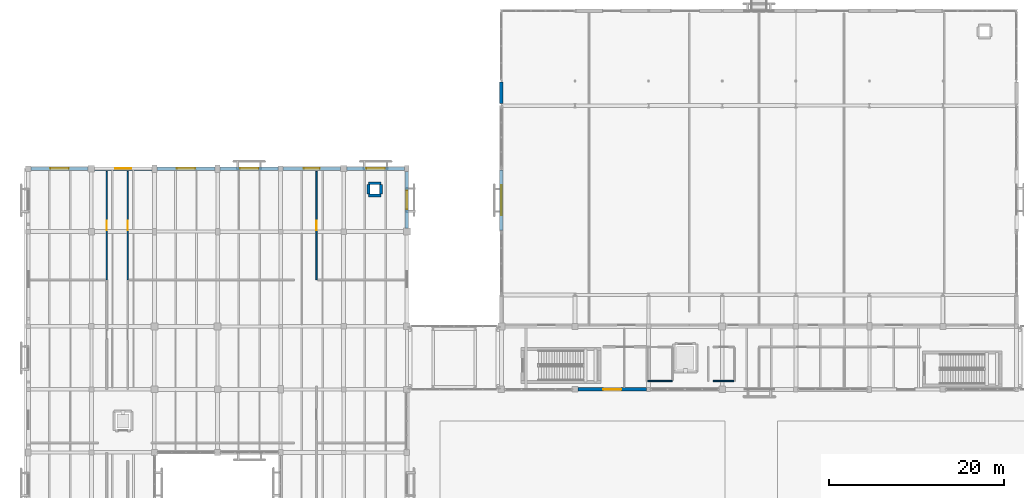
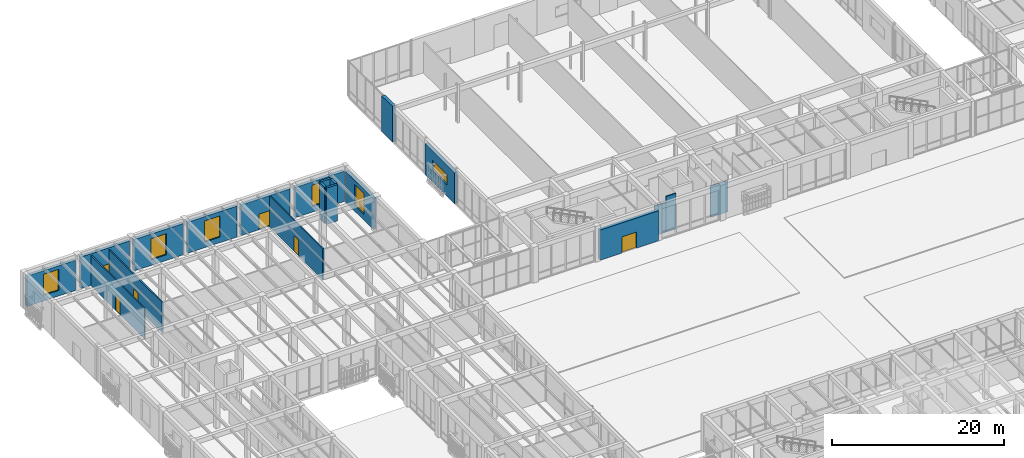
# One storey, part 126 of 169: 20 walls, 6 doors, 6 windows, 12 openings.
"""IFC4 building model written with IfcOpenShell, lengths in metres."""

import ifcopenshell
import ifcopenshell.guid

model = None  # the IFC model being written
_history = None  # IfcOwnerHistory: only IFC2X3 demands one
_inside = {}  # id of a spatial element -> (the spatial element, [elements in it])
_under = {}  # id of a project, library or spatial element -> (it, [spatial elements below it])
_declared = {}  # id of a project -> (the project, [libraries it declares])
_typed = {}  # id of a type object -> (the type object, [elements of that type])
_made_of = {}  # id of a material, layer set ... -> (it, [elements and type objects made of it])


def new_model(schema):
    """Start an empty IFC model of exactly this schema.

    Asked for "IFC4X3", IfcOpenShell would pick the latest addendum, in which some entities
    have other attributes; the version numbers below select the first issue.
    IFC2X3 requires an IfcOwnerHistory on every rooted entity: one is made here for all.
    """
    global model, _history
    if schema == "IFC4X3":
        model = ifcopenshell.file(schema_version=(4, 3, 0, 0))
    else:
        model = ifcopenshell.file(schema=schema)
    _inside.clear()
    _under.clear()
    _declared.clear()
    _typed.clear()
    _made_of.clear()
    _history = None
    if model.schema == "IFC2X3":
        org = make("IfcOrganization", Name="unknown")
        user = make(
            "IfcPersonAndOrganization",
            ThePerson=make("IfcPerson", FamilyName="unknown"),
            TheOrganization=org,
        )
        app = make(
            "IfcApplication",
            ApplicationDeveloper=org,
            Version="unknown",
            ApplicationFullName="unknown",
            ApplicationIdentifier="unknown",
        )
        _history = make(
            "IfcOwnerHistory",
            OwningUser=user,
            OwningApplication=app,
            ChangeAction="ADDED",
            CreationDate=0,
        )
    return model


def make(cls, **values):
    """One entity of the class cls with the attributes given. An attribute that is None is left unset."""
    return model.create_entity(
        cls, **{name: value for name, value in values.items() if value is not None}
    )


def rooted(cls, **values):
    """An entity with a GlobalId (a new one), such as an element, a storey or a relation."""
    return make(cls, GlobalId=ifcopenshell.guid.new(), OwnerHistory=_history, **values)


def si_unit(unit_type, name, prefix=None):
    """IfcSIUnit, for example si_unit("LENGTHUNIT", "METRE", prefix="MILLI")."""
    return make("IfcSIUnit", UnitType=unit_type, Prefix=prefix, Name=name)


def assignment(units):
    """IfcUnitAssignment: the units of a project."""
    return None if units is None else make("IfcUnitAssignment", Units=units)


def point(xyz):
    """IfcCartesianPoint."""
    return None if xyz is None else make("IfcCartesianPoint", Coordinates=xyz)


def direction(xyz):
    """IfcDirection."""
    return None if xyz is None else make("IfcDirection", DirectionRatios=xyz)


def frame(location, z_axis=None, x_axis=None):
    """IfcAxis2Placement3D, a coordinate frame: its origin and axes. An axis left out is left unset."""
    return make(
        "IfcAxis2Placement3D",
        Location=point(location),
        Axis=direction(z_axis),
        RefDirection=direction(x_axis),
    )


def frame_2d(location, x_axis=None):
    """IfcAxis2Placement2D, a coordinate frame in the plane: its origin and x axis."""
    return make(
        "IfcAxis2Placement2D", Location=point(location), RefDirection=direction(x_axis)
    )


def origin():
    """The frame at (0, 0, 0) with its axes left unset."""
    return frame((0.0, 0.0, 0.0))


def place(relative_to, where):
    """IfcLocalPlacement: puts the frame where relative to a parent placement (None: the world)."""
    return make(
        "IfcLocalPlacement", PlacementRelTo=relative_to, RelativePlacement=where
    )


def context(
    kind, dimensions, precision=None, world=None, true_north=None, identifier=None
):
    """IfcGeometricRepresentationContext, for example the 3D "Model" context."""
    return make(
        "IfcGeometricRepresentationContext",
        ContextIdentifier=identifier,
        ContextType=kind,
        CoordinateSpaceDimension=dimensions,
        Precision=precision,
        WorldCoordinateSystem=world,
        TrueNorth=true_north,
    )


def subcontext(parent, identifier, kind, view, scale=None):
    """IfcGeometricRepresentationSubContext, for example "Body" below "Model"."""
    return make(
        "IfcGeometricRepresentationSubContext",
        ContextIdentifier=identifier,
        ContextType=kind,
        ParentContext=parent,
        TargetScale=scale,
        TargetView=view,
    )


def project(units=None, contexts=None):
    """IfcProject with its units and contexts."""
    return rooted(
        "IfcProject",
        Name="project",
        RepresentationContexts=contexts,
        UnitsInContext=assignment(units),
    )


def spatial(cls, under=None, at=None, **own):
    """A site, building, storey or space (cls), placed at a placement, below another one or the project."""
    s = rooted(cls, ObjectPlacement=at, **own)
    if under is not None:
        _under.setdefault(under.id(), (under, []))[1].append(s)
    return s


def profile(cls, at=None, kind="AREA", **sizes):
    """A parametric profile (cls). Its sizes go by their IFC names, for example OverallWidth=200.0."""
    return make(cls, ProfileType=kind, Position=at, **sizes)


def rectangle(**sizes):
    """IfcRectangleProfileDef."""
    return profile("IfcRectangleProfileDef", **sizes)


def extrude(swept, where, along, depth):
    """IfcExtrudedAreaSolid: the profile swept, set in the frame where, extruded along a direction by depth."""
    return make(
        "IfcExtrudedAreaSolid",
        SweptArea=swept,
        Position=where,
        ExtrudedDirection=direction(along),
        Depth=depth,
    )


def shape(context_of_items, identifier, shape_type, items):
    """IfcShapeRepresentation: the items that make up one representation, for example the "Body"."""
    return make(
        "IfcShapeRepresentation",
        ContextOfItems=context_of_items,
        RepresentationIdentifier=identifier,
        RepresentationType=shape_type,
        Items=items,
    )


def material(Name=None, Category=None):
    """IfcMaterial."""
    return make("IfcMaterial", Name=Name, Category=Category)


def layer(
    of_material, thickness, ventilated=None, Name=None, Category=None, Priority=None
):
    """IfcMaterialLayer: one layer of a wall or slab, of a material (None: an air gap)."""
    return make(
        "IfcMaterialLayer",
        Material=of_material,
        LayerThickness=thickness,
        IsVentilated=ventilated,
        Name=Name,
        Category=Category,
        Priority=Priority,
    )


def layer_set(layers, Name=None):
    """IfcMaterialLayerSet."""
    return make("IfcMaterialLayerSet", MaterialLayers=layers, LayerSetName=Name)


def made_of(thing, what):
    """Note that an element or type object is made of a material, layer set ...; save() writes the relation."""
    if what is not None:
        _made_of.setdefault(what.id(), (what, []))[1].append(thing)
    return thing


def type_object(cls, material=None, **own):
    """A type object (cls), such as IfcWallType, which elements share."""
    return made_of(rooted(cls, **own), material)


def element(
    cls,
    number,
    at=None,
    inside=None,
    cuts=None,
    type_object=None,
    material=None,
    context=None,
    identifier="Body",
    shape_type=None,
    held_by="IfcProductDefinitionShape",
    body=None,
    shapes=None,
    **own,
):
    """One element of the class cls, such as IfcWall. Its Tag is "e" and its number.

    at: its placement. inside: the storey or other place that contains it. cuts: it is an
    opening in that element (IfcRelVoidsElement). A single representation is given by context,
    identifier, shape_type and body (its items); several are given by shapes. held_by: the class
    of the entity that holds the representations. save() writes the other relations.
    """
    e = rooted(cls, Tag="e%d" % number, ObjectPlacement=at, **own)
    if body is not None:
        shapes = [shape(context, identifier, shape_type, body)]
    if shapes is not None:
        e.Representation = make(held_by, Representations=shapes)
    if inside is not None:
        _inside.setdefault(inside.id(), (inside, []))[1].append(e)
    if cuts is not None:
        rooted(
            "IfcRelVoidsElement", RelatingBuildingElement=cuts, RelatedOpeningElement=e
        )
    if type_object is not None:
        _typed.setdefault(type_object.id(), (type_object, []))[1].append(e)
    return made_of(e, material)


def fill(opening, filler):
    """IfcRelFillsElement: the door or window that sits in an opening."""
    return rooted(
        "IfcRelFillsElement",
        RelatingOpeningElement=opening,
        RelatedBuildingElement=filler,
    )


def aggregate(whole, parts):
    """IfcRelAggregates: a whole, such as a stair, and the parts it consists of."""
    return rooted("IfcRelAggregates", RelatingObject=whole, RelatedObjects=parts)


def save(model, path):
    """Write the relations noted so far, then the file.

    IfcRelAggregates (storeys below a building ...), IfcRelContainedInSpatialStructure (elements
    in a storey), IfcRelDefinesByType, IfcRelAssociatesMaterial and IfcRelDeclares: one each for
    every whole, place, type object, material and project.
    """
    for whole, parts in _under.values():
        aggregate(whole, parts)
    for where, things in _inside.values():
        rooted(
            "IfcRelContainedInSpatialStructure",
            RelatedElements=things,
            RelatingStructure=where,
        )
    for kind, things in _typed.values():
        rooted("IfcRelDefinesByType", RelatedObjects=things, RelatingType=kind)
    for what, things in _made_of.values():
        rooted("IfcRelAssociatesMaterial", RelatedObjects=things, RelatingMaterial=what)
    for by, libraries in _declared.values():
        rooted("IfcRelDeclares", RelatingContext=by, RelatedDefinitions=libraries)
    model.write(path)


model = new_model("IFC4")

# Units and contexts
model_context = context("Model", 3, precision=1e-05, world=origin(), true_north=direction((0.0, 1.0)))
body_context = subcontext(model_context, "Body", "Model", "MODEL_VIEW")
ifc_project = project(units=[si_unit("LENGTHUNIT", "METRE"), si_unit("AREAUNIT", "SQUARE_METRE"), si_unit("VOLUMEUNIT", "CUBIC_METRE"), si_unit("PLANEANGLEUNIT", "RADIAN"), si_unit("MASSUNIT", "GRAM", prefix="KILO")], contexts=[model_context])

# Site, building, storey
site_placement = place(None, origin())
site = spatial("IfcSite", under=ifc_project, at=site_placement, CompositionType="ELEMENT")
building_placement = place(site_placement, origin())
building = spatial("IfcBuilding", under=site, at=building_placement, Name="Mazaris Harbour Polytechnic", CompositionType="ELEMENT")
storey_placement = place(building_placement, origin())
storey = spatial("IfcBuildingStorey", under=building, at=storey_placement, Name="L00", CompositionType="ELEMENT", Elevation=0.0)

# Wall, opening, door
ifc_material_1 = material(Name="Fireboard and Mineral Wool")
ifc_layer_1 = layer(ifc_material_1, 0.1650390625, Name="Fireboard and Mineral Wool")
ifc_layer_set_1 = layer_set([ifc_layer_1], Name="Fireboard and Mineral Wool")
wall_type_1 = type_object("IfcWallType", Name="Laboratory Rated Partition 165", PredefinedType="PARTITIONING", material=ifc_layer_set_1)
wall_1_placement = place(storey_placement, frame((8.949951171875, 88.10498046875, 0.0), z_axis=(0.0, 0.0, 1.0), x_axis=(0.0, 1.0, 0.0)))
wall_1 = element("IfcWall", 1, at=wall_1_placement, inside=storey, type_object=wall_type_1, Name="V4 L00 Partition 299", PredefinedType="PARTITIONING", context=body_context, shape_type="SweptSolid", body=[
    extrude(rectangle(XDim=12.39501953125, YDim=0.1650390625, at=frame_2d((6.197509765625, 0.0))), origin(), (0.0, 0.0, 1.0), 4.300048828125),
])
opening_1_placement = place(wall_1_placement, frame((5.672607421875, 0.0, 0.0)))
opening_1 = element("IfcOpeningElement", 2, at=opening_1_placement, cuts=wall_1, Name="Opening ID-02L", PredefinedType="OPENING", context=body_context, shape_type="SweptSolid", body=[
    extrude(rectangle(XDim=1.050048828125, YDim=2.199951171875, at=frame_2d((0.52490234375, 1.10009765625))), frame((0.0, 0.092529296875, 0.0), z_axis=(0.0, -1.0, 0.0), x_axis=(1.0, 0.0, 0.0)), (0.0, 0.0, 1.0), 0.18505859375),
])
ifc_material_2 = material(Name="Solid Timber and Vision Panel", Category="wood")
door_type_1 = type_object("IfcDoorType", Name="Laboratory Fire Door LH 1050x2200", OperationType="SINGLE_SWING_LEFT", PredefinedType="DOOR", material=ifc_material_2)
door_1_placement = place(opening_1_placement, origin())
door_1 = element("IfcDoor", 3, at=door_1_placement, inside=storey, type_object=door_type_1, Name="ID-0137", OperationType="SINGLE_SWING_LEFT", OverallHeight=2.199951171875, OverallWidth=1.050048828125, PredefinedType="DOOR", context=body_context, shape_type="SweptSolid", body=[
    extrude(rectangle(XDim=1.050048828125, YDim=2.199951171875, at=frame_2d((0.52490234375, 1.10009765625))), frame((0.0, 0.02490234375, 0.0), z_axis=(0.0, -1.0, 0.0), x_axis=(1.0, 0.0, 0.0)), (0.0, 0.0, 1.0), 0.050048828125),
])
fill(opening_1, door_1)

wall_2_placement = place(storey_placement, frame((11.35009765625, 88.10498046875, 0.0), z_axis=(0.0, 0.0, 1.0), x_axis=(0.0, 1.0, 0.0)))
wall_2 = element("IfcWall", 4, at=wall_2_placement, inside=storey, type_object=wall_type_1, Name="V4 L00 Partition 310", PredefinedType="PARTITIONING", context=body_context, shape_type="SweptSolid", body=[
    extrude(rectangle(XDim=12.39501953125, YDim=0.1650390625, at=frame_2d((6.197509765625, 0.0))), origin(), (0.0, 0.0, 1.0), 4.300048828125),
])
opening_2_placement = place(wall_2_placement, frame((5.672607421875, 0.0, 0.0)))
opening_2 = element("IfcOpeningElement", 5, at=opening_2_placement, cuts=wall_2, Name="Opening ID-02L", PredefinedType="OPENING", context=body_context, shape_type="SweptSolid", body=[
    extrude(rectangle(XDim=1.050048828125, YDim=2.199951171875, at=frame_2d((0.52490234375, 1.10009765625))), frame((0.0, 0.092529296875, 0.0), z_axis=(0.0, -1.0, 0.0), x_axis=(1.0, 0.0, 0.0)), (0.0, 0.0, 1.0), 0.18505859375),
])
door_2_placement = place(opening_2_placement, origin())
door_2 = element("IfcDoor", 6, at=door_2_placement, inside=storey, type_object=door_type_1, Name="ID-0143", OperationType="SINGLE_SWING_LEFT", OverallHeight=2.199951171875, OverallWidth=1.050048828125, PredefinedType="DOOR", context=body_context, shape_type="SweptSolid", body=[
    extrude(rectangle(XDim=1.050048828125, YDim=2.199951171875, at=frame_2d((0.52490234375, 1.10009765625))), frame((0.0, 0.02490234375, 0.0), z_axis=(0.0, -1.0, 0.0), x_axis=(1.0, 0.0, 0.0)), (0.0, 0.0, 1.0), 0.050048828125),
])
fill(opening_2, door_2)

wall_3_placement = place(storey_placement, frame((32.89990234375, 88.10009765625, 0.0), z_axis=(0.0, 0.0, 1.0), x_axis=(0.0, 1.0, 0.0)))
wall_3 = element("IfcWall", 7, at=wall_3_placement, inside=storey, type_object=wall_type_1, Name="V4 L00 Partition 319", PredefinedType="PARTITIONING", context=body_context, shape_type="SweptSolid", body=[
    extrude(rectangle(XDim=12.39990234375, YDim=0.1650390625, at=frame_2d((6.199951171875, 0.0))), origin(), (0.0, 0.0, 1.0), 4.39990234375),
])
opening_3_placement = place(wall_3_placement, frame((5.675048828125, 0.0, 0.0)))
opening_3 = element("IfcOpeningElement", 8, at=opening_3_placement, cuts=wall_3, Name="Opening ID-02L", PredefinedType="OPENING", context=body_context, shape_type="SweptSolid", body=[
    extrude(rectangle(XDim=1.050048828125, YDim=2.199951171875, at=frame_2d((0.52490234375, 1.10009765625))), frame((0.0, 0.092529296875, 0.0), z_axis=(0.0, -1.0, 0.0), x_axis=(1.0, 0.0, 0.0)), (0.0, 0.0, 1.0), 0.18505859375),
])
door_3_placement = place(opening_3_placement, origin())
door_3 = element("IfcDoor", 9, at=door_3_placement, inside=storey, type_object=door_type_1, Name="ID-0149", OperationType="SINGLE_SWING_LEFT", OverallHeight=2.199951171875, OverallWidth=1.050048828125, PredefinedType="DOOR", context=body_context, shape_type="SweptSolid", body=[
    extrude(rectangle(XDim=1.050048828125, YDim=2.199951171875, at=frame_2d((0.52490234375, 1.10009765625))), frame((0.0, 0.02490234375, 0.0), z_axis=(0.0, -1.0, 0.0), x_axis=(1.0, 0.0, 0.0)), (0.0, 0.0, 1.0), 0.050048828125),
])
fill(opening_3, door_3)

ifc_material_3 = material(Name="Algerian Buff Limestone and Concrete C35/45", Category="masonry")
ifc_layer_2 = layer(ifc_material_3, 0.409912109375, Name="Algerian Buff Limestone and Concrete C35/45")
ifc_layer_set_2 = layer_set([ifc_layer_2], Name="Algerian Buff Limestone and Concrete C35/45")
wall_type_2 = type_object("IfcWallType", Name="Limestone Rusticated Base Wall 410", PredefinedType="STANDARD", material=ifc_layer_set_2)
wall_4_placement = place(storey_placement, frame((70.5830078125, 75.60009765625, 0.0), z_axis=(0.0, 0.0, 1.0), x_axis=(-1.0, 0.0, 0.0)))
wall_4 = element("IfcWall", 10, at=wall_4_placement, inside=storey, type_object=wall_type_2, Name="V1 L00 Exterior Wall 1", PredefinedType="STANDARD", context=body_context, shape_type="SweptSolid", body=[
    extrude(rectangle(XDim=7.865966796875, YDim=0.409912109375, at=frame_2d((3.93310546875, 0.0))), origin(), (0.0, 0.0, 1.0), 4.280029296875),
])
opening_4_placement = place(wall_4_placement, frame((2.93310546875, 0.0, 0.0)))
opening_4 = element("IfcOpeningElement", 11, at=opening_4_placement, cuts=wall_4, Name="Opening ED-02", PredefinedType="OPENING", context=body_context, shape_type="SweptSolid", body=[
    extrude(rectangle(XDim=2.0, YDim=2.300048828125, at=frame_2d((1.0, 1.14990234375))), frame((0.0, 0.21484375, 0.0), z_axis=(0.0, -1.0, 0.0), x_axis=(1.0, 0.0, 0.0)), (0.0, 0.0, 1.0), 0.429931640625),
])
ifc_material_4 = material(Name="Anodised Bronze Steel and Laminated Safety Glass", Category="steel")
door_type_2 = type_object("IfcDoorType", Name="Cloister Court Double Exit Door 2000x2300", OperationType="DOUBLE_DOOR_SINGLE_SWING", PredefinedType="DOOR", material=ifc_material_4)
door_4_placement = place(opening_4_placement, origin())
door_4 = element("IfcDoor", 12, at=door_4_placement, inside=storey, type_object=door_type_2, Name="EXD-001", OperationType="DOUBLE_DOOR_SINGLE_SWING", OverallHeight=2.300048828125, OverallWidth=2.0, PredefinedType="DOOR", context=body_context, shape_type="SweptSolid", body=[
    extrude(rectangle(XDim=2.0, YDim=2.300048828125, at=frame_2d((1.0, 1.14990234375))), frame((0.0, 0.02490234375, 0.0), z_axis=(0.0, -1.0, 0.0), x_axis=(1.0, 0.0, 0.0)), (0.0, 0.0, 1.0), 0.050048828125),
])
fill(opening_4, door_4)

# Wall, opening, window
wall_5_placement = place(storey_placement, frame((54.0, 93.757080078125, 0.0), z_axis=(0.0, 0.0, 1.0), x_axis=(0.0, 1.0, 0.0)))
wall_5 = element("IfcWall", 13, at=wall_5_placement, inside=storey, type_object=wall_type_2, Name="V1 L00 Exterior Wall 10", PredefinedType="STANDARD", context=body_context, shape_type="SweptSolid", body=[
    extrude(rectangle(XDim=6.865966796875, YDim=0.409912109375, at=frame_2d((3.43310546875, 0.0))), origin(), (0.0, 0.0, 1.0), 4.429931640625),
])
opening_5_placement = place(wall_5_placement, frame((1.73291015625, 0.0, 1.60009765625)))
opening_5 = element("IfcOpeningElement", 14, at=opening_5_placement, cuts=wall_5, Name="Opening WN-16", PredefinedType="OPENING", context=body_context, shape_type="SweptSolid", body=[
    extrude(rectangle(XDim=3.39990234375, YDim=1.5, at=frame_2d((1.699951171875, 0.75))), frame((0.0, 0.21484375, 0.0), z_axis=(0.0, -1.0, 0.0), x_axis=(1.0, 0.0, 0.0)), (0.0, 0.0, 1.0), 0.429931640625),
])
ifc_material_5 = material(Name="Thermally Broken Bronze Aluminium and Low-E Glass", Category="aluminium")
window_type_1 = type_object("IfcWindowType", Name="Workshop Clerestory Ribbon 3400x1500", PartitioningType="DOUBLE_PANEL_VERTICAL", PredefinedType="WINDOW", material=ifc_material_5)
window_1_placement = place(opening_5_placement, origin())
window_1 = element("IfcWindow", 15, at=window_1_placement, inside=storey, type_object=window_type_1, Name="WN-0003", OverallHeight=1.5, OverallWidth=3.39990234375, PartitioningType="DOUBLE_PANEL_VERTICAL", PredefinedType="WINDOW", context=body_context, shape_type="SweptSolid", body=[
    extrude(rectangle(XDim=3.39990234375, YDim=1.5, at=frame_2d((1.699951171875, 0.75))), frame((0.0, 0.030029296875, 0.0), z_axis=(0.0, -1.0, 0.0), x_axis=(1.0, 0.0, 0.0)), (0.0, 0.0, 1.0), 0.06005859375),
])
fill(opening_5, window_1)

# Wall
wall_6_placement = place(storey_placement, frame((54.0, 108.221923828125, 0.0), z_axis=(0.0, 0.0, 1.0), x_axis=(0.0, 1.0, 0.0)))
element("IfcWall", 16, at=wall_6_placement, inside=storey, type_object=wall_type_2, Name="V1 L00 Exterior Wall 11", PredefinedType="STANDARD", context=body_context, shape_type="SweptSolid", body=[
    extrude(rectangle(XDim=2.48095703125, YDim=0.409912109375, at=frame_2d((1.240478515625, 0.0))), origin(), (0.0, 0.0, 1.0), 5.080078125),
])

# Wall, opening, window
wall_7_placement = place(storey_placement, frame((0.2919921875, 100.800048828125, 0.0), z_axis=(0.0, 0.0, 1.0), x_axis=(1.0, 0.0, 0.0)))
wall_7 = element("IfcWall", 17, at=wall_7_placement, inside=storey, type_object=wall_type_2, Name="V4 L00 Exterior Wall 134", PredefinedType="STANDARD", context=body_context, shape_type="SweptSolid", body=[
    extrude(rectangle(XDim=6.541015625, YDim=0.409912109375, at=frame_2d((3.2705078125, 0.0))), origin(), (0.0, 0.0, 1.0), 4.300048828125),
])
opening_6_placement = place(wall_7_placement, frame((2.220458984375, 0.0, 0.800048828125)))
opening_6 = element("IfcOpeningElement", 18, at=opening_6_placement, cuts=wall_7, Name="Opening WN-05", PredefinedType="OPENING", context=body_context, shape_type="SweptSolid", body=[
    extrude(rectangle(XDim=2.10009765625, YDim=3.0, at=frame_2d((1.050048828125, 1.5))), frame((0.0, 0.21484375, 0.0), z_axis=(0.0, -1.0, 0.0), x_axis=(1.0, 0.0, 0.0)), (0.0, 0.0, 1.0), 0.429931640625),
])
ifc_material_6 = material(Name="Thermally Broken Bronze Aluminium and Low-E Glass", Category="aluminium")
window_type_2 = type_object("IfcWindowType", Name="Podium Arch-Head Window 2100x3000", PartitioningType="DOUBLE_PANEL_VERTICAL", PredefinedType="WINDOW", material=ifc_material_6)
window_2_placement = place(opening_6_placement, origin())
window_2 = element("IfcWindow", 19, at=window_2_placement, inside=storey, type_object=window_type_2, Name="WN-0142", OverallHeight=3.0, OverallWidth=2.10009765625, PartitioningType="DOUBLE_PANEL_VERTICAL", PredefinedType="WINDOW", context=body_context, shape_type="SweptSolid", body=[
    extrude(rectangle(XDim=2.10009765625, YDim=3.0, at=frame_2d((1.050048828125, 1.5))), frame((0.0, 0.030029296875, 0.0), z_axis=(0.0, -1.0, 0.0), x_axis=(1.0, 0.0, 0.0)), (0.0, 0.0, 1.0), 0.06005859375),
])
fill(opening_6, window_2)

# Wall, opening, door
wall_8_placement = place(storey_placement, frame((7.56689453125, 100.800048828125, 0.0), z_axis=(0.0, 0.0, 1.0), x_axis=(1.0, 0.0, 0.0)))
wall_8 = element("IfcWall", 20, at=wall_8_placement, inside=storey, type_object=wall_type_2, Name="V4 L00 Exterior Wall 135", PredefinedType="STANDARD", context=body_context, shape_type="SweptSolid", body=[
    extrude(rectangle(XDim=6.541015625, YDim=0.409912109375, at=frame_2d((3.2705078125, 0.0))), origin(), (0.0, 0.0, 1.0), 4.5),
])
opening_7_placement = place(wall_8_placement, frame((2.37060546875, 0.0, 0.0)))
opening_7 = element("IfcOpeningElement", 21, at=opening_7_placement, cuts=wall_8, Name="Opening ED-03", PredefinedType="OPENING", context=body_context, shape_type="SweptSolid", body=[
    extrude(rectangle(XDim=1.800048828125, YDim=2.199951171875, at=frame_2d((0.89990234375, 1.10009765625))), frame((0.0, 0.21484375, 0.0), z_axis=(0.0, -1.0, 0.0), x_axis=(1.0, 0.0, 0.0)), (0.0, 0.0, 1.0), 0.429931640625),
])
ifc_material_7 = material(Name="Anodised Bronze Steel and Laminated Safety Glass", Category="steel")
door_type_3 = type_object("IfcDoorType", Name="Perimeter Final Exit Door 1800x2200", OperationType="DOUBLE_DOOR_SINGLE_SWING", PredefinedType="DOOR", material=ifc_material_7)
door_5_placement = place(opening_7_placement, origin())
door_5 = element("IfcDoor", 22, at=door_5_placement, inside=storey, type_object=door_type_3, Name="EXD-023", OperationType="DOUBLE_DOOR_SINGLE_SWING", OverallHeight=2.199951171875, OverallWidth=1.800048828125, PredefinedType="DOOR", context=body_context, shape_type="SweptSolid", body=[
    extrude(rectangle(XDim=1.800048828125, YDim=2.199951171875, at=frame_2d((0.89990234375, 1.10009765625))), frame((0.0, 0.02490234375, 0.0), z_axis=(0.0, -1.0, 0.0), x_axis=(1.0, 0.0, 0.0)), (0.0, 0.0, 1.0), 0.050048828125),
])
fill(opening_7, door_5)

# Wall, opening, window
wall_9_placement = place(storey_placement, frame((14.69189453125, 100.800048828125, 0.0), z_axis=(0.0, 0.0, 1.0), x_axis=(1.0, 0.0, 0.0)))
wall_9 = element("IfcWall", 23, at=wall_9_placement, inside=storey, type_object=wall_type_2, Name="V4 L00 Exterior Wall 136", PredefinedType="STANDARD", context=body_context, shape_type="SweptSolid", body=[
    extrude(rectangle(XDim=6.6162109375, YDim=0.409912109375, at=frame_2d((3.30810546875, 0.0))), origin(), (0.0, 0.0, 1.0), 4.449951171875),
])
opening_8_placement = place(wall_9_placement, frame((2.258056640625, 0.0, 0.800048828125)))
opening_8 = element("IfcOpeningElement", 24, at=opening_8_placement, cuts=wall_9, Name="Opening WN-05", PredefinedType="OPENING", context=body_context, shape_type="SweptSolid", body=[
    extrude(rectangle(XDim=2.10009765625, YDim=3.0, at=frame_2d((1.050048828125, 1.5))), frame((0.0, 0.21484375, 0.0), z_axis=(0.0, -1.0, 0.0), x_axis=(1.0, 0.0, 0.0)), (0.0, 0.0, 1.0), 0.429931640625),
])
window_3_placement = place(opening_8_placement, origin())
window_3 = element("IfcWindow", 25, at=window_3_placement, inside=storey, type_object=window_type_2, Name="WN-0143", OverallHeight=3.0, OverallWidth=2.10009765625, PartitioningType="DOUBLE_PANEL_VERTICAL", PredefinedType="WINDOW", context=body_context, shape_type="SweptSolid", body=[
    extrude(rectangle(XDim=2.10009765625, YDim=3.0, at=frame_2d((1.050048828125, 1.5))), frame((0.0, 0.030029296875, 0.0), z_axis=(0.0, -1.0, 0.0), x_axis=(1.0, 0.0, 0.0)), (0.0, 0.0, 1.0), 0.06005859375),
])
fill(opening_8, window_3)

wall_10_placement = place(storey_placement, frame((21.89208984375, 100.800048828125, 0.0), z_axis=(0.0, 0.0, 1.0), x_axis=(1.0, 0.0, 0.0)))
wall_10 = element("IfcWall", 26, at=wall_10_placement, inside=storey, type_object=wall_type_2, Name="V4 L00 Exterior Wall 137", PredefinedType="STANDARD", context=body_context, shape_type="SweptSolid", body=[
    extrude(rectangle(XDim=6.640869140625, YDim=0.409912109375, at=frame_2d((3.3203125, 0.0))), origin(), (0.0, 0.0, 1.0), 4.39990234375),
])
opening_9_placement = place(wall_10_placement, frame((2.2705078125, 0.0, 0.800048828125)))
opening_9 = element("IfcOpeningElement", 27, at=opening_9_placement, cuts=wall_10, Name="Opening WN-05", PredefinedType="OPENING", context=body_context, shape_type="SweptSolid", body=[
    extrude(rectangle(XDim=2.10009765625, YDim=3.0, at=frame_2d((1.050048828125, 1.5))), frame((0.0, 0.21484375, 0.0), z_axis=(0.0, -1.0, 0.0), x_axis=(1.0, 0.0, 0.0)), (0.0, 0.0, 1.0), 0.429931640625),
])
window_4_placement = place(opening_9_placement, origin())
window_4 = element("IfcWindow", 28, at=window_4_placement, inside=storey, type_object=window_type_2, Name="WN-0144", OverallHeight=3.0, OverallWidth=2.10009765625, PartitioningType="DOUBLE_PANEL_VERTICAL", PredefinedType="WINDOW", context=body_context, shape_type="SweptSolid", body=[
    extrude(rectangle(XDim=2.10009765625, YDim=3.0, at=frame_2d((1.050048828125, 1.5))), frame((0.0, 0.030029296875, 0.0), z_axis=(0.0, -1.0, 0.0), x_axis=(1.0, 0.0, 0.0)), (0.0, 0.0, 1.0), 0.06005859375),
])
fill(opening_9, window_4)

# Wall, opening, door
wall_11_placement = place(storey_placement, frame((29.06689453125, 100.800048828125, 0.0), z_axis=(0.0, 0.0, 1.0), x_axis=(1.0, 0.0, 0.0)))
wall_11 = element("IfcWall", 29, at=wall_11_placement, inside=storey, type_object=wall_type_2, Name="V4 L00 Exterior Wall 138", PredefinedType="STANDARD", context=body_context, shape_type="SweptSolid", body=[
    extrude(rectangle(XDim=6.591064453125, YDim=0.409912109375, at=frame_2d((3.29541015625, 0.0))), origin(), (0.0, 0.0, 1.0), 4.35009765625),
])
opening_10_placement = place(wall_11_placement, frame((2.3955078125, 0.0, 0.0)))
opening_10 = element("IfcOpeningElement", 30, at=opening_10_placement, cuts=wall_11, Name="Opening ED-03", PredefinedType="OPENING", context=body_context, shape_type="SweptSolid", body=[
    extrude(rectangle(XDim=1.800048828125, YDim=2.199951171875, at=frame_2d((0.89990234375, 1.10009765625))), frame((0.0, 0.21484375, 0.0), z_axis=(0.0, -1.0, 0.0), x_axis=(1.0, 0.0, 0.0)), (0.0, 0.0, 1.0), 0.429931640625),
])
door_6_placement = place(opening_10_placement, origin())
door_6 = element("IfcDoor", 31, at=door_6_placement, inside=storey, type_object=door_type_3, Name="EXD-024", OperationType="DOUBLE_DOOR_SINGLE_SWING", OverallHeight=2.199951171875, OverallWidth=1.800048828125, PredefinedType="DOOR", context=body_context, shape_type="SweptSolid", body=[
    extrude(rectangle(XDim=1.800048828125, YDim=2.199951171875, at=frame_2d((0.89990234375, 1.10009765625))), frame((0.0, 0.02490234375, 0.0), z_axis=(0.0, -1.0, 0.0), x_axis=(1.0, 0.0, 0.0)), (0.0, 0.0, 1.0), 0.050048828125),
])
fill(opening_10, door_6)

# Wall, opening, window
wall_12_placement = place(storey_placement, frame((36.342041015625, 100.800048828125, 0.0), z_axis=(0.0, 0.0, 1.0), x_axis=(1.0, 0.0, 0.0)))
wall_12 = element("IfcWall", 32, at=wall_12_placement, inside=storey, type_object=wall_type_2, Name="V4 L00 Exterior Wall 139", PredefinedType="STANDARD", context=body_context, shape_type="SweptSolid", body=[
    extrude(rectangle(XDim=6.615966796875, YDim=0.409912109375, at=frame_2d((3.30810546875, 0.0))), origin(), (0.0, 0.0, 1.0), 4.300048828125),
])
opening_11_placement = place(wall_12_placement, frame((2.258056640625, 0.0, 0.800048828125)))
opening_11 = element("IfcOpeningElement", 33, at=opening_11_placement, cuts=wall_12, Name="Opening WN-05", PredefinedType="OPENING", context=body_context, shape_type="SweptSolid", body=[
    extrude(rectangle(XDim=2.10009765625, YDim=3.0, at=frame_2d((1.050048828125, 1.5))), frame((0.0, 0.21484375, 0.0), z_axis=(0.0, -1.0, 0.0), x_axis=(1.0, 0.0, 0.0)), (0.0, 0.0, 1.0), 0.429931640625),
])
window_5_placement = place(opening_11_placement, origin())
window_5 = element("IfcWindow", 34, at=window_5_placement, inside=storey, type_object=window_type_2, Name="WN-0145", OverallHeight=3.0, OverallWidth=2.10009765625, PartitioningType="DOUBLE_PANEL_VERTICAL", PredefinedType="WINDOW", context=body_context, shape_type="SweptSolid", body=[
    extrude(rectangle(XDim=2.10009765625, YDim=3.0, at=frame_2d((1.050048828125, 1.5))), frame((0.0, 0.030029296875, 0.0), z_axis=(0.0, -1.0, 0.0), x_axis=(1.0, 0.0, 0.0)), (0.0, 0.0, 1.0), 0.06005859375),
])
fill(opening_11, window_5)

wall_13_placement = place(storey_placement, frame((43.199951171875, 100.4580078125, 0.0), z_axis=(0.0, 0.0, 1.0), x_axis=(0.0, -1.0, 0.0)))
wall_13 = element("IfcWall", 35, at=wall_13_placement, inside=storey, type_object=wall_type_2, Name="V4 L00 Exterior Wall 157", PredefinedType="STANDARD", context=body_context, shape_type="SweptSolid", body=[
    extrude(rectangle(XDim=6.466064453125, YDim=0.409912109375, at=frame_2d((3.23291015625, 0.0))), origin(), (0.0, 0.0, 1.0), 4.39990234375),
])
opening_12_placement = place(wall_13_placement, frame((2.18310546875, 0.0, 0.800048828125)))
opening_12 = element("IfcOpeningElement", 36, at=opening_12_placement, cuts=wall_13, Name="Opening WN-05", PredefinedType="OPENING", context=body_context, shape_type="SweptSolid", body=[
    extrude(rectangle(XDim=2.10009765625, YDim=3.0, at=frame_2d((1.050048828125, 1.5))), frame((0.0, 0.21484375, 0.0), z_axis=(0.0, -1.0, 0.0), x_axis=(1.0, 0.0, 0.0)), (0.0, 0.0, 1.0), 0.429931640625),
])
window_6_placement = place(opening_12_placement, origin())
window_6 = element("IfcWindow", 37, at=window_6_placement, inside=storey, type_object=window_type_2, Name="WN-0159", OverallHeight=3.0, OverallWidth=2.10009765625, PartitioningType="DOUBLE_PANEL_VERTICAL", PredefinedType="WINDOW", context=body_context, shape_type="SweptSolid", body=[
    extrude(rectangle(XDim=2.10009765625, YDim=3.0, at=frame_2d((1.050048828125, 1.5))), frame((0.0, 0.030029296875, 0.0), z_axis=(0.0, -1.0, 0.0), x_axis=(1.0, 0.0, 0.0)), (0.0, 0.0, 1.0), 0.06005859375),
])
fill(opening_12, window_6)

# Walls
ifc_material_8 = material(Name="Concrete C40/50", Category="concrete")
ifc_layer_3 = layer(ifc_material_8, 0.300048828125, Name="Concrete C40/50")
ifc_layer_set_3 = layer_set([ifc_layer_3], Name="Concrete C40/50")
wall_type_3 = type_object("IfcWallType", Name="RC Lift Shaft Wall 300", PredefinedType="SHEAR", material=ifc_layer_set_3)
wall_14_placement = place(storey_placement, frame((38.830078125, 97.72998046875, 0.0), z_axis=(0.0, 0.0, 1.0), x_axis=(1.0, 0.0, 0.0)))
element("IfcWall", 38, at=wall_14_placement, inside=storey, type_object=wall_type_3, Name="V4 L00 Riser Enclosure Wall 2-1", PredefinedType="SHEAR", context=body_context, shape_type="SweptSolid", body=[
    extrude(rectangle(XDim=1.419921875, YDim=0.300048828125, at=frame_2d((0.7099609375, 0.0))), origin(), (0.0, 0.0, 1.0), 5.159912109375),
])
wall_15_placement = place(storey_placement, frame((40.25, 97.889892578125, 0.0), z_axis=(0.0, 0.0, 1.0), x_axis=(0.0, 1.0, 0.0)))
element("IfcWall", 39, at=wall_15_placement, inside=storey, type_object=wall_type_3, Name="V4 L00 Riser Enclosure Wall 2-2", PredefinedType="SHEAR", context=body_context, shape_type="SweptSolid", body=[
    extrude(rectangle(XDim=1.10009765625, YDim=0.300048828125, at=frame_2d((0.550048828125, 0.0))), origin(), (0.0, 0.0, 1.0), 5.159912109375),
])
wall_16_placement = place(storey_placement, frame((40.25, 99.14990234375, 0.0), z_axis=(0.0, 0.0, 1.0), x_axis=(-1.0, 0.0, 0.0)))
element("IfcWall", 40, at=wall_16_placement, inside=storey, type_object=wall_type_3, Name="V4 L00 Riser Enclosure Wall 2-3", PredefinedType="SHEAR", context=body_context, shape_type="SweptSolid", body=[
    extrude(rectangle(XDim=1.419921875, YDim=0.300048828125, at=frame_2d((0.7099609375, 0.0))), origin(), (0.0, 0.0, 1.0), 5.159912109375),
])
wall_17_placement = place(storey_placement, frame((38.830078125, 98.989990234375, 0.0), z_axis=(0.0, 0.0, 1.0), x_axis=(0.0, -1.0, 0.0)))
element("IfcWall", 41, at=wall_17_placement, inside=storey, type_object=wall_type_3, Name="V4 L00 Riser Enclosure Wall 2-4", PredefinedType="SHEAR", context=body_context, shape_type="SweptSolid", body=[
    extrude(rectangle(XDim=1.10009765625, YDim=0.300048828125, at=frame_2d((0.550048828125, 0.0))), origin(), (0.0, 0.0, 1.0), 5.159912109375),
])
ifc_material_9 = material(Name="Moisture-Resistant Gypsum and Steel Stud", Category="steel")
ifc_layer_4 = layer(ifc_material_9, 0.14501953125, Name="Moisture-Resistant Gypsum and Steel Stud")
ifc_layer_set_4 = layer_set([ifc_layer_4], Name="Moisture-Resistant Gypsum and Steel Stud")
wall_type_4 = type_object("IfcWallType", Name="Sanitary Plumbing Wall 145", PredefinedType="PLUMBINGWALL", material=ifc_layer_set_4)
wall_18_placement = place(storey_placement, frame((70.6826171875, 76.550048828125, 0.0), z_axis=(0.0, 0.0, 1.0), x_axis=(1.0, 0.0, 0.0)))
element("IfcWall", 42, at=wall_18_placement, inside=storey, type_object=wall_type_4, Name="V1 L00 Partition 22", PredefinedType="PLUMBINGWALL", context=body_context, shape_type="SweptSolid", body=[
    extrude(rectangle(XDim=1.512451171875, YDim=0.14501953125, at=frame_2d((0.75634765625, 0.0))), origin(), (0.0, 0.0, 1.0), 4.280029296875),
])
wall_19_placement = place(storey_placement, frame((78.205078125, 76.550048828125, 0.0), z_axis=(0.0, 0.0, 1.0), x_axis=(1.0, 0.0, 0.0)))
element("IfcWall", 43, at=wall_19_placement, inside=storey, type_object=wall_type_4, Name="V1 L00 Partition 25", PredefinedType="PLUMBINGWALL", context=body_context, shape_type="SweptSolid", body=[
    extrude(rectangle(XDim=2.3125, YDim=0.14501953125, at=frame_2d((1.15625, 0.0))), origin(), (0.0, 0.0, 1.0), 4.429931640625),
])
wall_20_placement = place(storey_placement, frame((72.195068359375, 76.554931640625, 0.0), z_axis=(0.0, 0.0, 1.0), x_axis=(1.0, 0.0, 0.0)))
element("IfcWall", 44, at=wall_20_placement, inside=storey, type_object=wall_type_4, Name="V1 L00 Sanitary Partition 695", PredefinedType="PLUMBINGWALL", context=body_context, shape_type="SweptSolid", body=[
    extrude(rectangle(XDim=1.329833984375, YDim=0.14501953125, at=frame_2d((0.6650390625, 0.0))), origin(), (0.0, 0.0, 1.0), 5.080078125),
])

save(model, "model.ifc")
